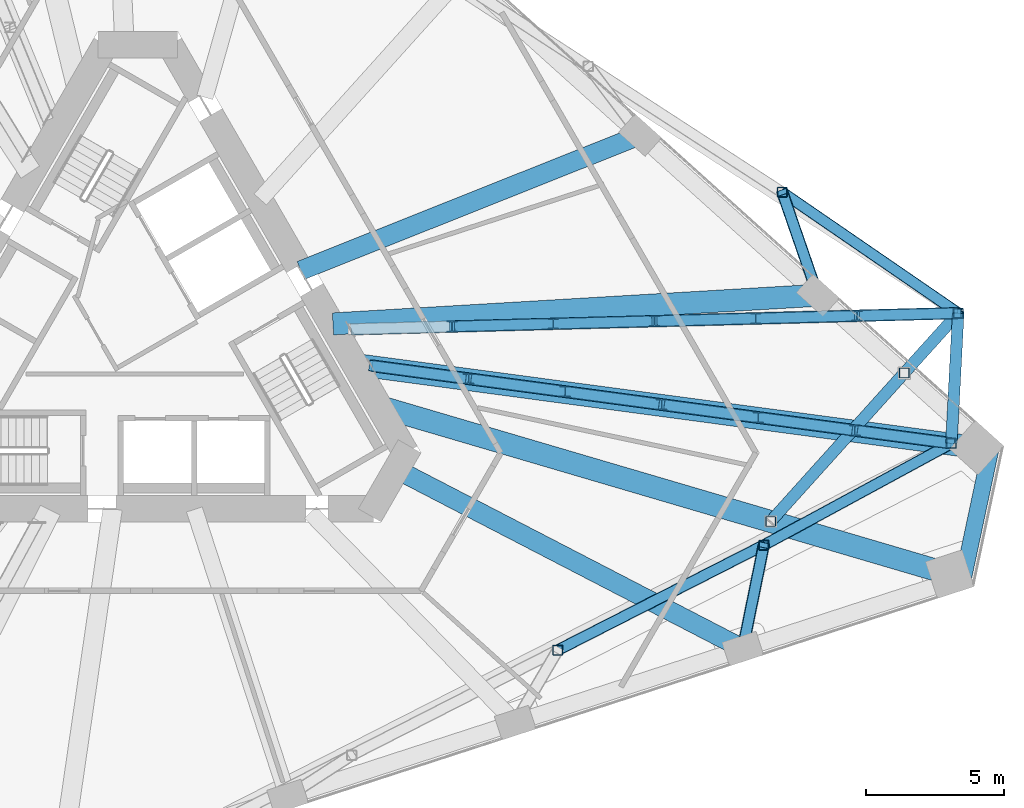
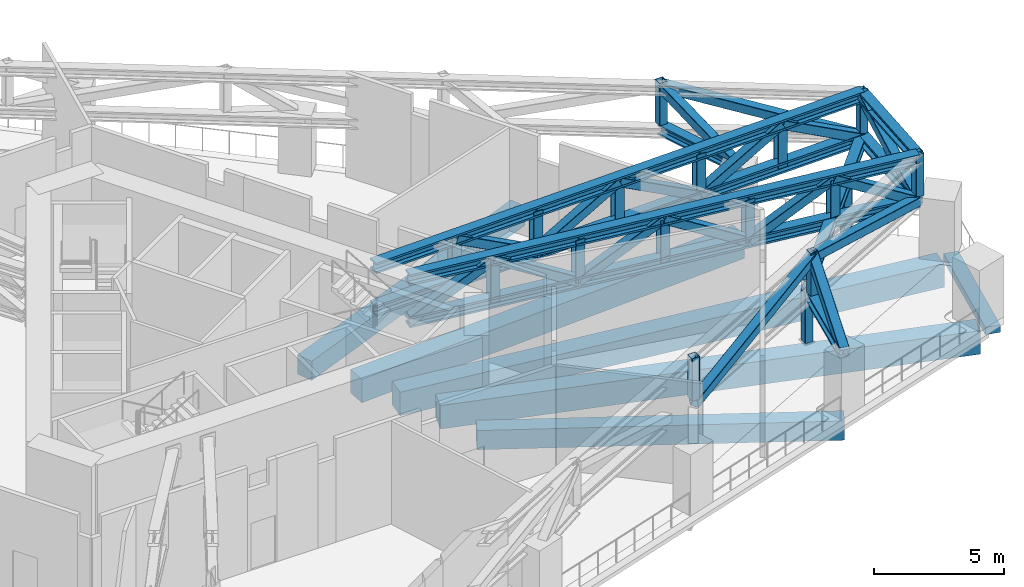
# One storey, part 10 of 24: 43 members, 6 beams.
"""IFC4 building model written with IfcOpenShell, lengths in metres."""

from ifc_helpers import new_model, si_unit, direction, frame, origin, origin_2d, place, context, subcontext, project, spatial, rectangle, hollow_rectangle, i_section, extrude, material, material_profile, profile_set, type_object, element, save


model = new_model("IFC4")

# Units and contexts
model_context = context("Model", 3, precision=1e-05, world=origin(), true_north=direction((0.0, 1.0)))
body_context = subcontext(model_context, "Body", "Model", "MODEL_VIEW")
ifc_project = project(units=[si_unit("LENGTHUNIT", "METRE"), si_unit("AREAUNIT", "SQUARE_METRE"), si_unit("VOLUMEUNIT", "CUBIC_METRE"), si_unit("PLANEANGLEUNIT", "RADIAN"), si_unit("MASSUNIT", "GRAM", prefix="KILO")], contexts=[model_context])

# Site, building, storey
site_placement = place(None, origin())
site = spatial("IfcSite", under=ifc_project, at=site_placement, CompositionType="ELEMENT")
building_placement = place(site_placement, origin())
building = spatial("IfcBuilding", under=site, at=building_placement, Name="Tramontana Tower", CompositionType="ELEMENT")
storey_placement = place(building_placement, frame((0.0, 0.0, 120.39990234375)))
storey = spatial("IfcBuildingStorey", under=building, at=storey_placement, Name="L27", CompositionType="ELEMENT", Elevation=120.39990234375)

# Members
ifc_material_1 = material(Name="Steel ASTM A500 Grade C", Category="steel")
ifc_material_profile_1 = material_profile(ifc_material_1, hollow_rectangle(XDim=0.355712890625, YDim=0.355712890625, WallThickness=0.01171875, InnerFilletRadius=0.01171875, OuterFilletRadius=0.023681640625, at=origin_2d()), Name="HSS14X14X1/2")
ifc_profile_set_1 = profile_set([ifc_material_profile_1], Name="Steel ASTM A500 Grade C")
member_type_1 = type_object("IfcMemberType", Name="Belt truss HSS14X14X1/2 post", PredefinedType="POST", material=ifc_profile_set_1)
for number, where, z_axis, x_axis, name in (
    (1, (15.19970703125, -11.39111328125, 2.86376953125), (0.0, 0.0, 1.0), (1.0, 0.0, 0.0), "Belt truss post C3F09"),
    (2, (22.65869140625, -7.59033203125, 2.86376953125), (0.0, 0.0, 1.0), (1.0, 0.0, 0.0), "Belt truss post C3F10"),
    (3, (29.447998046875, -3.90673828125, 2.86376953125), (0.0, 0.0, 1.0), (1.0, 0.0, 0.0), "Belt truss post C3K4"),
    (4, (29.695068359375, 0.80712890625, 2.86376953125), (0.0, 0.0, 1.0), (1.0, 0.0, 0.0), "Belt truss post C3K5"),
    (5, (23.328125, 5.180419921875, 2.86376953125), (0.0, 0.0, 1.0), (1.0, 0.0, 0.0), "Belt truss post C3F11"),
):
    element("IfcMember", number, at=place(storey_placement, frame(where, z_axis=z_axis, x_axis=x_axis)), inside=storey, type_object=member_type_1, Name=name, PredefinedType="POST", context=body_context, shape_type="SweptSolid", body=[
        extrude(hollow_rectangle(XDim=0.355712890625, YDim=0.355712890625, WallThickness=0.01171875, InnerFilletRadius=0.01171875, OuterFilletRadius=0.023681640625, at=origin_2d()), origin(), (0.0, 0.0, 1.0), 1.986328125),
    ])
ifc_material_2 = material(Name="Steel ASTM A500 Grade C", Category="steel")
ifc_material_profile_2 = material_profile(ifc_material_2, hollow_rectangle(XDim=0.406494140625, YDim=0.406494140625, WallThickness=0.0146484375, InnerFilletRadius=0.0146484375, OuterFilletRadius=0.029541015625, at=origin_2d()), Name="HSS16X16X5/8")
ifc_profile_set_2 = profile_set([ifc_material_profile_2], Name="Steel ASTM A500 Grade C")
member_type_2 = type_object("IfcMemberType", Name="Belt truss HSS16X16X5/8 brace", PredefinedType="BRACE", material=ifc_profile_set_2)
member_1_placement = place(storey_placement, frame((15.19970703125, -11.39111328125, 2.6318359375), z_axis=(0.866920315075, 0.441745727451, 0.230889323245), x_axis=(-0.454013153524, 0.890994981146, 0.0)))
element("IfcMember", 6, at=member_1_placement, inside=storey, type_object=member_type_2, Name="Belt truss diagonal S1.5", PredefinedType="BRACE", context=body_context, shape_type="SweptSolid", body=[
    extrude(hollow_rectangle(XDim=0.406494140625, YDim=0.406494140625, WallThickness=0.0146484375, InnerFilletRadius=0.0146484375, OuterFilletRadius=0.029541015625, at=origin_2d()), origin(), (0.0, 0.0, 1.0), 8.60400390625),
])
for number, where, z_axis, x_axis, name in (
    (7, (22.65869140625, -7.59033203125, 4.618408203125), (0.851260865914, 0.461858533026, -0.249081580278), (-0.476888874799, 0.878963594862, 0.0), "Belt truss diagonal S1.6"),
    (8, (29.695068359375, 0.80712890625, 2.6318359375), (-0.798303270038, 0.548334156839, 0.249081395311), (-0.566178661918, -0.824282550336, 0.0), "Belt truss diagonal S2.1"),
):
    element("IfcMember", number, at=place(storey_placement, frame(where, z_axis=z_axis, x_axis=x_axis)), inside=storey, type_object=member_type_2, Name=name, PredefinedType="BRACE", context=body_context, shape_type="SweptSolid", body=[
        extrude(hollow_rectangle(XDim=0.406494140625, YDim=0.406494140625, WallThickness=0.0146484375, InnerFilletRadius=0.0146484375, OuterFilletRadius=0.029541015625, at=origin_2d()), origin(), (0.0, 0.0, 1.0), 7.9755859375),
    ])
member_2_placement = place(storey_placement, frame((29.447998046875, -3.90673828125, 2.6318359375), z_axis=(0.048243355329, 0.920437455227, 0.38790136592), x_axis=(-0.998629235775, 0.052341660794, 0.0)))
element("IfcMember", 9, at=member_2_placement, inside=storey, type_object=member_type_2, Name="Belt truss diagonal K2.1", PredefinedType="BRACE", context=body_context, shape_type="SweptSolid", body=[
    extrude(hollow_rectangle(XDim=0.406494140625, YDim=0.406494140625, WallThickness=0.0146484375, InnerFilletRadius=0.0146484375, OuterFilletRadius=0.029541015625, at=origin_2d()), origin(), (0.0, 0.0, 1.0), 5.121337890625),
])
ifc_material_3 = material(Name="Steel ASTM A992 Grade 50", Category="steel")
ifc_material_profile_3 = material_profile(ifc_material_3, i_section(OverallWidth=0.42236328125, OverallDepth=0.463623046875, WebThickness=0.04443359375, FlangeThickness=0.072998046875, FilletRadius=0.014892578125, at=origin_2d()), Name="W14X398")
ifc_profile_set_3 = profile_set([ifc_material_profile_3], Name="Steel ASTM A992 Grade 50")
member_type_3 = type_object("IfcMemberType", Name="Belt truss W14X398 chord", PredefinedType="CHORD", material=ifc_profile_set_3)
for number, where, z_axis, x_axis, name in (
    (10, (29.447998046875, -3.90673828125, 2.6318359375), (0.052341660794, 0.998629235775, 0.0), (-0.998629235775, 0.052341660794, 0.0), "Belt truss bottom chord K2"),
    (11, (29.447998046875, -3.90673828125, 4.618408203125), (0.052341660794, 0.998629235775, 0.0), (-0.998629235775, 0.052341660794, 0.0), "Belt truss top chord K2"),
):
    element("IfcMember", number, at=place(storey_placement, frame(where, z_axis=z_axis, x_axis=x_axis)), inside=storey, type_object=member_type_3, Name=name, PredefinedType="CHORD", context=body_context, shape_type="SweptSolid", body=[
        extrude(i_section(OverallWidth=0.42236328125, OverallDepth=0.463623046875, WebThickness=0.04443359375, FlangeThickness=0.072998046875, FilletRadius=0.014892578125, at=origin_2d()), origin(), (0.0, 0.0, 1.0), 4.720458984375),
    ])
ifc_material_4 = material(Name="Steel ASTM A500 Grade C", Category="steel")
ifc_material_profile_4 = material_profile(ifc_material_4, hollow_rectangle(XDim=0.406494140625, YDim=0.406494140625, WallThickness=0.0146484375, InnerFilletRadius=0.0146484375, OuterFilletRadius=0.029541015625, at=origin_2d()), Name="HSS16X16X5/8")
ifc_profile_set_4 = profile_set([ifc_material_profile_4], Name="Steel ASTM A500 Grade C")
member_type_4 = type_object("IfcMemberType", Name="Outrigger truss HSS16X16X5/8 brace", PredefinedType="BRACE", material=ifc_profile_set_4)
member_3_placement = place(storey_placement, frame((8.475341796875, -1.099853515625, 2.6318359375), z_axis=(0.863570077799, -0.115568922893, 0.49080601544), x_axis=(0.132644383389, 0.991163693622, 0.0)))
element("IfcMember", 12, at=member_3_placement, inside=storey, type_object=member_type_4, Name="Outrigger truss diagonal 3.1", PredefinedType="BRACE", context=body_context, shape_type="SweptSolid", body=[
    extrude(hollow_rectangle(XDim=0.406494140625, YDim=0.406494140625, WallThickness=0.0146484375, InnerFilletRadius=0.0146484375, OuterFilletRadius=0.029541015625, at=origin_2d()), origin(), (0.0, 0.0, 1.0), 4.047607421875),
])
member_4_placement = place(storey_placement, frame((11.970703125, -1.567626953125, 4.618408203125), z_axis=(0.863585412206, -0.115562903324, -0.490780451119), x_axis=(0.132635282201, 0.991164911564, 0.0)))
element("IfcMember", 13, at=member_4_placement, inside=storey, type_object=member_type_4, Name="Outrigger truss diagonal 3.2", PredefinedType="BRACE", context=body_context, shape_type="SweptSolid", body=[
    extrude(hollow_rectangle(XDim=0.406494140625, YDim=0.406494140625, WallThickness=0.0146484375, InnerFilletRadius=0.0146484375, OuterFilletRadius=0.029541015625, at=origin_2d()), origin(), (0.0, 0.0, 1.0), 4.0478515625),
])
for number, where, z_axis, x_axis, name in (
    (14, (15.46630859375, -2.035400390625, 2.6318359375), (0.863570077799, -0.115568922893, 0.49080601544), (0.132644383389, 0.991163693622, 0.0), "Outrigger truss diagonal 3.3"),
    (15, (18.961669921875, -2.503173828125, 4.618408203125), (0.863564056461, -0.115628434465, -0.49080259324), (0.13271239423, 0.991154589566, 0.0), "Outrigger truss diagonal 3.4"),
    (16, (22.45703125, -2.97119140625, 2.6318359375), (0.863570077799, -0.115568922893, 0.49080601544), (0.132644383389, 0.991163693622, 0.0), "Outrigger truss diagonal 3.5"),
):
    element("IfcMember", number, at=place(storey_placement, frame(where, z_axis=z_axis, x_axis=x_axis)), inside=storey, type_object=member_type_4, Name=name, PredefinedType="BRACE", context=body_context, shape_type="SweptSolid", body=[
        extrude(hollow_rectangle(XDim=0.406494140625, YDim=0.406494140625, WallThickness=0.0146484375, InnerFilletRadius=0.0146484375, OuterFilletRadius=0.029541015625, at=origin_2d()), origin(), (0.0, 0.0, 1.0), 4.047607421875),
    ])
member_5_placement = place(storey_placement, frame((25.952392578125, -3.43896484375, 4.618408203125), z_axis=(0.863585412206, -0.115562903324, -0.490780451119), x_axis=(0.132635282201, 0.991164911564, 0.0)))
element("IfcMember", 17, at=member_5_placement, inside=storey, type_object=member_type_4, Name="Outrigger truss diagonal 3.6", PredefinedType="BRACE", context=body_context, shape_type="SweptSolid", body=[
    extrude(hollow_rectangle(XDim=0.406494140625, YDim=0.406494140625, WallThickness=0.0146484375, InnerFilletRadius=0.0146484375, OuterFilletRadius=0.029541015625, at=origin_2d()), origin(), (0.0, 0.0, 1.0), 4.0478515625),
])
member_6_placement = place(storey_placement, frame((11.372802734375, 0.324951171875, 4.618408203125), z_axis=(0.878895263179, 0.023128822715, -0.476453747934), x_axis=(-0.026306682088, 0.999653919353, 0.0)))
element("IfcMember", 18, at=member_6_placement, inside=storey, type_object=member_type_4, Name="Outrigger truss diagonal 4.2", PredefinedType="BRACE", context=body_context, shape_type="SweptSolid", body=[
    extrude(hollow_rectangle(XDim=0.406494140625, YDim=0.406494140625, WallThickness=0.0146484375, InnerFilletRadius=0.0146484375, OuterFilletRadius=0.029541015625, at=origin_2d()), origin(), (0.0, 0.0, 1.0), 4.16943359375),
])
member_7_placement = place(storey_placement, frame((15.037353515625, 0.42138671875, 2.6318359375), z_axis=(0.878881938595, 0.023130013042, 0.476478268662), x_axis=(-0.026308433602, 0.999653873259, 0.0)))
element("IfcMember", 19, at=member_7_placement, inside=storey, type_object=member_type_4, Name="Outrigger truss diagonal 4.3", PredefinedType="BRACE", context=body_context, shape_type="SweptSolid", body=[
    extrude(hollow_rectangle(XDim=0.406494140625, YDim=0.406494140625, WallThickness=0.0146484375, InnerFilletRadius=0.0146484375, OuterFilletRadius=0.029541015625, at=origin_2d()), origin(), (0.0, 0.0, 1.0), 4.169189453125),
])
member_8_placement = place(storey_placement, frame((18.70166015625, 0.517822265625, 4.618408203125), z_axis=(0.878895263179, 0.023128822715, -0.476453747934), x_axis=(-0.026306682088, 0.999653919353, 0.0)))
element("IfcMember", 20, at=member_8_placement, inside=storey, type_object=member_type_4, Name="Outrigger truss diagonal 4.4", PredefinedType="BRACE", context=body_context, shape_type="SweptSolid", body=[
    extrude(hollow_rectangle(XDim=0.406494140625, YDim=0.406494140625, WallThickness=0.0146484375, InnerFilletRadius=0.0146484375, OuterFilletRadius=0.029541015625, at=origin_2d()), origin(), (0.0, 0.0, 1.0), 4.16943359375),
])
member_9_placement = place(storey_placement, frame((22.3662109375, 0.6142578125, 2.6318359375), z_axis=(0.878881938595, 0.023130013042, 0.476478268662), x_axis=(-0.026308433602, 0.999653873259, 0.0)))
element("IfcMember", 21, at=member_9_placement, inside=storey, type_object=member_type_4, Name="Outrigger truss diagonal 4.5", PredefinedType="BRACE", context=body_context, shape_type="SweptSolid", body=[
    extrude(hollow_rectangle(XDim=0.406494140625, YDim=0.406494140625, WallThickness=0.0146484375, InnerFilletRadius=0.0146484375, OuterFilletRadius=0.029541015625, at=origin_2d()), origin(), (0.0, 0.0, 1.0), 4.169189453125),
])
member_10_placement = place(storey_placement, frame((26.030517578125, 0.710693359375, 4.618408203125), z_axis=(0.878895263179, 0.023128822715, -0.476453747934), x_axis=(-0.026306682088, 0.999653919353, 0.0)))
element("IfcMember", 22, at=member_10_placement, inside=storey, type_object=member_type_4, Name="Outrigger truss diagonal 4.6", PredefinedType="BRACE", context=body_context, shape_type="SweptSolid", body=[
    extrude(hollow_rectangle(XDim=0.406494140625, YDim=0.406494140625, WallThickness=0.0146484375, InnerFilletRadius=0.0146484375, OuterFilletRadius=0.029541015625, at=origin_2d()), origin(), (0.0, 0.0, 1.0), 4.16943359375),
])
ifc_material_5 = material(Name="Steel ASTM A992 Grade 50", Category="steel")
ifc_material_profile_5 = material_profile(ifc_material_5, i_section(OverallWidth=0.39697265625, OverallDepth=0.387451171875, WebThickness=0.020751953125, FlangeThickness=0.033447265625, FilletRadius=0.01513671875, at=origin_2d()), Name="W14X176")
ifc_profile_set_5 = profile_set([ifc_material_profile_5], Name="Steel ASTM A992 Grade 50")
member_type_5 = type_object("IfcMemberType", Name="Outrigger truss W14X176 post", PredefinedType="POST", material=ifc_profile_set_5)
for number, where, z_axis, x_axis, name in (
    (23, (11.970703125, -1.567626953125, 2.6318359375), (0.0, 0.0, 1.0), (1.0, 0.0, 0.0), "Outrigger truss post 3.1"),
    (24, (15.46630859375, -2.035400390625, 2.6318359375), (0.0, 0.0, 1.0), (1.0, 0.0, 0.0), "Outrigger truss post 3.2"),
    (25, (18.961669921875, -2.503173828125, 2.6318359375), (0.0, 0.0, 1.0), (1.0, 0.0, 0.0), "Outrigger truss post 3.3"),
    (26, (22.45703125, -2.97119140625, 2.6318359375), (0.0, 0.0, 1.0), (1.0, 0.0, 0.0), "Outrigger truss post 3.4"),
    (27, (25.952392578125, -3.43896484375, 2.6318359375), (0.0, 0.0, 1.0), (1.0, 0.0, 0.0), "Outrigger truss post 3.5"),
    (28, (11.372802734375, 0.324951171875, 2.6318359375), (0.0, 0.0, 1.0), (1.0, 0.0, 0.0), "Outrigger truss post 4.1"),
    (29, (15.037353515625, 0.42138671875, 2.6318359375), (0.0, 0.0, 1.0), (1.0, 0.0, 0.0), "Outrigger truss post 4.2"),
    (30, (18.70166015625, 0.517822265625, 2.6318359375), (0.0, 0.0, 1.0), (1.0, 0.0, 0.0), "Outrigger truss post 4.3"),
    (31, (22.3662109375, 0.6142578125, 2.6318359375), (0.0, 0.0, 1.0), (1.0, 0.0, 0.0), "Outrigger truss post 4.4"),
    (32, (26.030517578125, 0.710693359375, 2.6318359375), (0.0, 0.0, 1.0), (1.0, 0.0, 0.0), "Outrigger truss post 4.5"),
):
    element("IfcMember", number, at=place(storey_placement, frame(where, z_axis=z_axis, x_axis=x_axis)), inside=storey, type_object=member_type_5, Name=name, PredefinedType="POST", context=body_context, shape_type="SweptSolid", body=[
        extrude(i_section(OverallWidth=0.39697265625, OverallDepth=0.387451171875, WebThickness=0.020751953125, FlangeThickness=0.033447265625, FilletRadius=0.01513671875, at=origin_2d()), origin(), (0.0, 0.0, 1.0), 1.986572265625),
    ])
ifc_material_6 = material(Name="Steel ASTM A992 Grade 50", Category="steel")
ifc_material_profile_6 = material_profile(ifc_material_6, i_section(OverallWidth=0.431884765625, OverallDepth=0.49853515625, WebThickness=0.0556640625, FlangeThickness=0.0888671875, FilletRadius=0.01513671875, at=origin_2d()), Name="W14X500")
ifc_profile_set_6 = profile_set([ifc_material_profile_6], Name="Steel ASTM A992 Grade 50")
member_type_6 = type_object("IfcMemberType", Name="Outrigger truss W14X500 chord", PredefinedType="CHORD", material=ifc_profile_set_6)
for number, where, z_axis, x_axis, name in (
    (33, (8.475341796875, -1.099853515625, 2.6318359375), (0.991162582669, -0.132652684543, 0.0), (0.132652684543, 0.991162582669, 0.0), "Outrigger truss bottom chord 3"),
    (34, (8.475341796875, -1.099853515625, 4.618408203125), (0.991162582669, -0.132652684543, 0.0), (0.132652684543, 0.991162582669, 0.0), "Outrigger truss top chord 3"),
):
    element("IfcMember", number, at=place(storey_placement, frame(where, z_axis=z_axis, x_axis=x_axis)), inside=storey, type_object=member_type_6, Name=name, PredefinedType="CHORD", context=body_context, shape_type="SweptSolid", body=[
        extrude(i_section(OverallWidth=0.431884765625, OverallDepth=0.49853515625, WebThickness=0.0556640625, FlangeThickness=0.0888671875, FilletRadius=0.01513671875, at=origin_2d()), origin(), (0.0, 0.0, 1.0), 21.15966796875),
    ])
for number, where, z_axis, x_axis, name in (
    (35, (7.70849609375, 0.228515625, 2.6318359375), (0.999653896307, 0.026307557816, 0.0), (-0.026307557816, 0.999653896307, 0.0), "Outrigger truss bottom chord 4"),
    (36, (7.70849609375, 0.228515625, 4.618408203125), (0.999653896307, 0.026307557816, 0.0), (-0.026307557816, 0.999653896307, 0.0), "Outrigger truss top chord 4"),
):
    element("IfcMember", number, at=place(storey_placement, frame(where, z_axis=z_axis, x_axis=x_axis)), inside=storey, type_object=member_type_6, Name=name, PredefinedType="CHORD", context=body_context, shape_type="SweptSolid", body=[
        extrude(i_section(OverallWidth=0.431884765625, OverallDepth=0.49853515625, WebThickness=0.0556640625, FlangeThickness=0.0888671875, FilletRadius=0.01513671875, at=origin_2d()), origin(), (0.0, 0.0, 1.0), 21.994140625),
    ])

# Beams
ifc_material_7 = material(Name="Concrete 40 MPa", Category="concrete")
ifc_material_profile_7 = material_profile(ifc_material_7, rectangle(XDim=0.60009765625, YDim=0.35009765625, at=origin_2d()), Name="RC EDGE BEAM 600X350 40 MPa")
ifc_profile_set_7 = profile_set([ifc_material_profile_7], Name="Concrete 40 MPa")
beam_type_1 = type_object("IfcBeamType", Name="RC EDGE BEAM 600X350 40 MPa", PredefinedType="SPANDREL", material=ifc_profile_set_7)
beam_1_placement = place(storey_placement, frame((29.831298828125, -8.9970703125, -0.52490234375), z_axis=(0.207902023431, 0.97814965555, 0.0), x_axis=(-0.97814965555, 0.207902023431, 0.0)))
element("IfcBeam", 37, at=beam_1_placement, inside=storey, type_object=beam_type_1, Name="Spandrel beam K2 L27", PredefinedType="SPANDREL", context=body_context, shape_type="SweptSolid", body=[
    extrude(rectangle(XDim=0.60009765625, YDim=0.35009765625, at=origin_2d()), origin(), (0.0, 0.0, 1.0), 5.1962890625),
])
ifc_material_8 = material(Name="Concrete 40 MPa", Category="concrete")
ifc_material_profile_8 = material_profile(ifc_material_8, rectangle(XDim=0.699951171875, YDim=0.89990234375, at=origin_2d()), Name="RC GIRDER 700X900 40 MPa")
ifc_profile_set_8 = profile_set([ifc_material_profile_8], Name="Concrete 40 MPa")
beam_type_2 = type_object("IfcBeamType", Name="RC GIRDER 700X900 40 MPa", PredefinedType="BEAM", material=ifc_profile_set_8)
beam_2_placement = place(storey_placement, frame((21.89599609375, -11.338623046875, -0.7998046875), z_axis=(-0.88800272981, 0.45983818007, 0.0), x_axis=(-0.45983818007, -0.88800272981, 0.0)))
element("IfcBeam", 38, at=beam_2_placement, inside=storey, type_object=beam_type_2, Name="Radial girder C2F10 L27", PredefinedType="BEAM", context=body_context, shape_type="SweptSolid", body=[
    extrude(rectangle(XDim=0.699951171875, YDim=0.89990234375, at=origin_2d()), origin(), (0.0, 0.0, 1.0), 14.12109375),
])
beam_3_placement = place(storey_placement, frame((18.17919921875, 7.247314453125, -0.7998046875), z_axis=(-0.928907671919, -0.370311405509, 0.0), x_axis=(0.370311405509, -0.928907671919, 0.0)))
element("IfcBeam", 39, at=beam_3_placement, inside=storey, type_object=beam_type_2, Name="Radial girder C2F12 L27", PredefinedType="BEAM", context=body_context, shape_type="SweptSolid", body=[
    extrude(rectangle(XDim=0.699951171875, YDim=0.89990234375, at=origin_2d()), origin(), (0.0, 0.0, 1.0), 13.224609375),
])
ifc_material_9 = material(Name="Concrete 40 MPa", Category="concrete")
ifc_material_profile_9 = material_profile(ifc_material_9, rectangle(XDim=0.800048828125, YDim=1.10009765625, at=origin_2d()), Name="RC GIRDER 800X1100 40 MPa")
ifc_profile_set_9 = profile_set([ifc_material_profile_9], Name="Concrete 40 MPa")
beam_type_3 = type_object("IfcBeamType", Name="RC GIRDER 800X1100 40 MPa", PredefinedType="BEAM", material=ifc_profile_set_9)
beam_4_placement = place(storey_placement, frame((29.389404296875, -8.64111328125, -0.89990234375), z_axis=(-0.959390293023, 0.282082019372, 0.0), x_axis=(-0.282082019372, -0.959390293023, 0.0)))
element("IfcBeam", 40, at=beam_4_placement, inside=storey, type_object=beam_type_3, Name="Radial girder C2K4 L27", PredefinedType="BEAM", context=body_context, shape_type="SweptSolid", body=[
    extrude(rectangle(XDim=0.800048828125, YDim=1.10009765625, at=origin_2d()), origin(), (0.0, 0.0, 1.0), 21.3232421875),
])
beam_5_placement = place(storey_placement, frame((30.36328125, -4.059814453125, -0.89990234375), z_axis=(-0.99117940686, 0.132526915819, 0.0), x_axis=(-0.132526915819, -0.99117940686, 0.0)))
element("IfcBeam", 41, at=beam_5_placement, inside=storey, type_object=beam_type_3, Name="Radial girder C2K5 L27", PredefinedType="BEAM", context=body_context, shape_type="SweptSolid", body=[
    extrude(rectangle(XDim=0.800048828125, YDim=1.10009765625, at=origin_2d()), origin(), (0.0, 0.0, 1.0), 22.587158203125),
])
beam_6_placement = place(storey_placement, frame((24.614990234375, 1.452392578125, -0.89990234375), z_axis=(-0.998263727152, -0.058902725346, 0.0), x_axis=(0.058902725346, -0.998263727152, 0.0)))
element("IfcBeam", 42, at=beam_6_placement, inside=storey, type_object=beam_type_3, Name="Radial girder C2F11 L27", PredefinedType="BEAM", context=body_context, shape_type="SweptSolid", body=[
    extrude(rectangle(XDim=0.800048828125, YDim=1.10009765625, at=origin_2d()), origin(), (0.0, 0.0, 1.0), 17.582275390625),
])

# Members
ifc_material_10 = material(Name="Steel ASTM A500 Grade C", Category="steel")
ifc_material_profile_10 = material_profile(ifc_material_10, hollow_rectangle(XDim=0.355712890625, YDim=0.355712890625, WallThickness=0.01171875, InnerFilletRadius=0.01171875, OuterFilletRadius=0.023681640625, at=origin_2d()), Name="HSS14X14X1/2")
ifc_profile_set_10 = profile_set([ifc_material_profile_10], Name="Steel ASTM A500 Grade C")
member_type_7 = type_object("IfcMemberType", Name="Transfer truss HSS14X14X1/2 post", PredefinedType="POST", material=ifc_profile_set_10)
for number, where, z_axis, x_axis, name in (
    (43, (27.741455078125, -1.362548828125, 0.0400390625), (0.0, 0.0, 1.0), (1.0, 0.0, 0.0), "Transfer truss post C3K5.1"),
    (44, (22.904541015625, -6.734375, 0.0400390625), (0.0, 0.0, 1.0), (1.0, 0.0, 0.0), "Transfer truss post C3K5.2"),
):
    element("IfcMember", number, at=place(storey_placement, frame(where, z_axis=z_axis, x_axis=x_axis)), inside=storey, type_object=member_type_7, Name=name, PredefinedType="POST", context=body_context, shape_type="SweptSolid", body=[
        extrude(hollow_rectangle(XDim=0.355712890625, YDim=0.355712890625, WallThickness=0.01171875, InnerFilletRadius=0.01171875, OuterFilletRadius=0.023681640625, at=origin_2d()), origin(), (0.0, 0.0, 1.0), 2.360107421875),
    ])
ifc_material_11 = material(Name="Steel ASTM A500 Grade C", Category="steel")
ifc_material_profile_11 = material_profile(ifc_material_11, hollow_rectangle(XDim=0.406494140625, YDim=0.406494140625, WallThickness=0.0146484375, InnerFilletRadius=0.0146484375, OuterFilletRadius=0.029541015625, at=origin_2d()), Name="HSS16X16X5/8")
ifc_profile_set_11 = profile_set([ifc_material_profile_11], Name="Steel ASTM A500 Grade C")
member_type_8 = type_object("IfcMemberType", Name="Transfer truss HSS16X16X5/8 brace", PredefinedType="BRACE", material=ifc_profile_set_11)
member_11_placement = place(storey_placement, frame((21.89599609375, -11.338623046875, 2.6318359375), z_axis=(0.176951091358, 0.869631916011, 0.460899817663), x_axis=(-0.979919755879, 0.199392256716, 0.0)))
element("IfcMember", 45, at=member_11_placement, inside=storey, type_object=member_type_8, Name="Transfer truss strut C3F10 diagonal", PredefinedType="BRACE", context=body_context, shape_type="SweptSolid", body=[
    extrude(hollow_rectangle(XDim=0.406494140625, YDim=0.406494140625, WallThickness=0.0146484375, InnerFilletRadius=0.0146484375, OuterFilletRadius=0.029541015625, at=origin_2d()), origin(), (0.0, 0.0, 1.0), 4.310302734375),
])
member_12_placement = place(storey_placement, frame((24.614990234375, 1.452392578125, 2.6318359375), z_axis=(-0.291412513869, 0.844217242797, 0.449862194148), x_axis=(-0.945268334915, -0.326294000874, 0.0)))
element("IfcMember", 46, at=member_12_placement, inside=storey, type_object=member_type_8, Name="Transfer truss strut C3F11 diagonal", PredefinedType="BRACE", context=body_context, shape_type="SweptSolid", body=[
    extrude(hollow_rectangle(XDim=0.406494140625, YDim=0.406494140625, WallThickness=0.0146484375, InnerFilletRadius=0.0146484375, OuterFilletRadius=0.029541015625, at=origin_2d()), origin(), (0.0, 0.0, 1.0), 4.416015625),
])
ifc_material_12 = material(Name="Steel ASTM A992 Grade 50", Category="steel")
ifc_material_profile_12 = material_profile(ifc_material_12, i_section(OverallWidth=0.42236328125, OverallDepth=0.463623046875, WebThickness=0.04443359375, FlangeThickness=0.072998046875, FilletRadius=0.014892578125, at=origin_2d()), Name="W14X398")
ifc_profile_set_12 = profile_set([ifc_material_profile_12], Name="Steel ASTM A992 Grade 50")
member_type_9 = type_object("IfcMemberType", Name="Transfer truss W14X398 chord", PredefinedType="CHORD", material=ifc_profile_set_12)
member_13_placement = place(storey_placement, frame((29.695068359375, 0.80712890625, 2.6318359375), z_axis=(-0.669137502789, -0.743138615846, 0.0), x_axis=(0.743138615846, -0.669137502789, 0.0)))
element("IfcMember", 47, at=member_13_placement, inside=storey, type_object=member_type_9, Name="Transfer truss girder C3K5", PredefinedType="CHORD", context=body_context, shape_type="SweptSolid", body=[
    extrude(i_section(OverallWidth=0.42236328125, OverallDepth=0.463623046875, WebThickness=0.04443359375, FlangeThickness=0.072998046875, FilletRadius=0.014892578125, at=origin_2d()), origin(), (0.0, 0.0, 1.0), 10.148193359375),
])
ifc_material_13 = material(Name="Steel ASTM A992 Grade 50", Category="steel")
ifc_material_profile_13 = material_profile(ifc_material_13, i_section(OverallWidth=0.42236328125, OverallDepth=0.463623046875, WebThickness=0.04443359375, FlangeThickness=0.072998046875, FilletRadius=0.014892578125, at=origin_2d()), Name="W14X398")
ifc_profile_set_13 = profile_set([ifc_material_profile_13], Name="Steel ASTM A992 Grade 50")
member_type_10 = type_object("IfcMemberType", Name="Transfer truss W14X398 strut", PredefinedType="STRUT", material=ifc_profile_set_13)
member_14_placement = place(storey_placement, frame((21.89599609375, -11.338623046875, 2.6318359375), z_axis=(0.199392256716, 0.979919755879, 0.0), x_axis=(-0.979919755879, 0.199392256716, 0.0)))
element("IfcMember", 48, at=member_14_placement, inside=storey, type_object=member_type_10, Name="Transfer truss strut C3F10 bottom", PredefinedType="STRUT", context=body_context, shape_type="SweptSolid", body=[
    extrude(i_section(OverallWidth=0.42236328125, OverallDepth=0.463623046875, WebThickness=0.04443359375, FlangeThickness=0.072998046875, FilletRadius=0.014892578125, at=origin_2d()), origin(), (0.0, 0.0, 1.0), 3.8251953125),
])
member_15_placement = place(storey_placement, frame((24.614990234375, 1.452392578125, 2.6318359375), z_axis=(-0.326294000874, 0.945268334915, 0.0), x_axis=(-0.945268334915, -0.326294000874, 0.0)))
element("IfcMember", 49, at=member_15_placement, inside=storey, type_object=member_type_10, Name="Transfer truss strut C3F11 bottom", PredefinedType="STRUT", context=body_context, shape_type="SweptSolid", body=[
    extrude(i_section(OverallWidth=0.42236328125, OverallDepth=0.463623046875, WebThickness=0.04443359375, FlangeThickness=0.072998046875, FilletRadius=0.014892578125, at=origin_2d()), origin(), (0.0, 0.0, 1.0), 3.94384765625),
])

save(model, "model.ifc")
